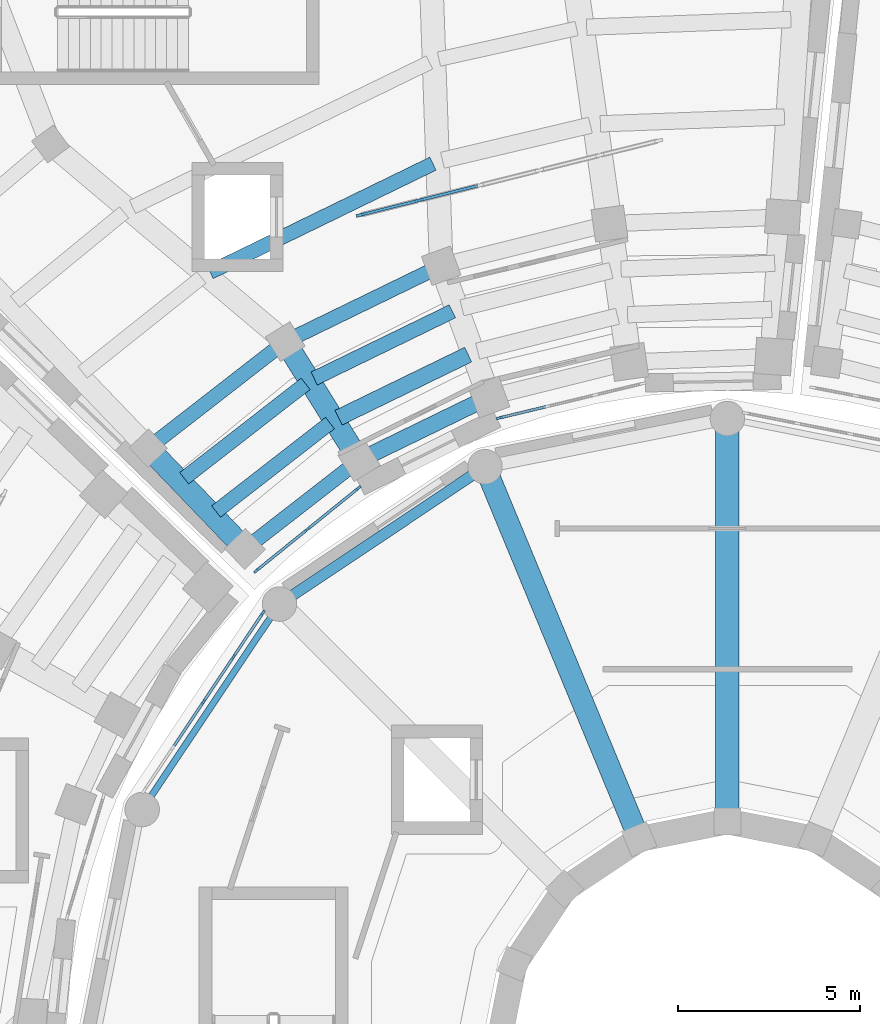
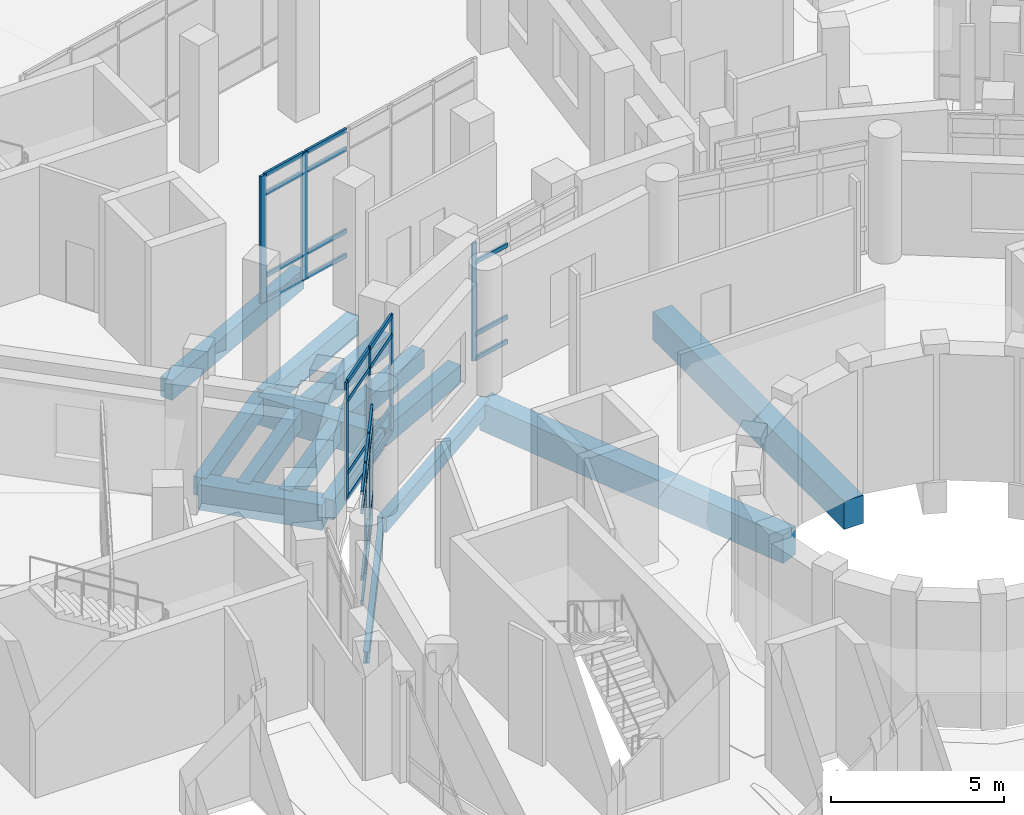
# One storey, part 29 of 89: 40 members, 15 beams, 4 elements without a shape of their own.
"""IFC4 building model written with IfcOpenShell, lengths in metres."""

from ifc_helpers import new_model, si_unit, direction, frame, origin, origin_2d, place, context, subcontext, project, spatial, rectangle, i_section, extrude, material, material_profile, profile_set, type_object, element, aggregate, save


model = new_model("IFC4")

# Units and contexts
model_context = context("Model", 3, precision=1e-05, world=origin(), true_north=direction((0.0, 1.0)))
body_context = subcontext(model_context, "Body", "Model", "MODEL_VIEW")
ifc_project = project(units=[si_unit("LENGTHUNIT", "METRE"), si_unit("AREAUNIT", "SQUARE_METRE"), si_unit("VOLUMEUNIT", "CUBIC_METRE"), si_unit("PLANEANGLEUNIT", "RADIAN"), si_unit("MASSUNIT", "GRAM", prefix="KILO")], contexts=[model_context])

# Site, building, storey
site_placement = place(None, origin())
site = spatial("IfcSite", under=ifc_project, at=site_placement, CompositionType="ELEMENT")
building_placement = place(site_placement, origin())
building = spatial("IfcBuilding", under=site, at=building_placement, Name="Soyqirgoq Riverine Aquarium", CompositionType="ELEMENT")
storey_placement = place(building_placement, frame((0.0, 0.0, 5.39990234375)))
storey = spatial("IfcBuildingStorey", under=building, at=storey_placement, Name="L02", CompositionType="ELEMENT", Elevation=5.39990234375)

# Beams
ifc_material_1 = material(Name="Concrete C40/50", Category="concrete")
ifc_material_profile_1 = material_profile(ifc_material_1, rectangle(XDim=0.39990234375, YDim=0.64990234375, at=origin_2d()), Name="RC 400x650")
ifc_profile_set_1 = profile_set([ifc_material_profile_1], Name="Concrete C40/50")
beam_type_1 = type_object("IfcBeamType", Name="Beam_RC_400x650", PredefinedType="BEAM", material=ifc_profile_set_1)
beam_1_placement = place(storey_placement, frame((44.38037109375, 75.404296875, -0.625), z_axis=(-0.789625269343, -0.613589385514, 0.0), x_axis=(0.613589385514, -0.789625269343, 0.0)))
element("IfcBeam", 1, at=beam_1_placement, inside=storey, type_object=beam_type_1, Name="V4 L02 Secondary Floor Joist 0567", PredefinedType="BEAM", context=body_context, shape_type="SweptSolid", body=[
    extrude(rectangle(XDim=0.39990234375, YDim=0.64990234375, at=origin_2d()), origin(), (0.0, 0.0, 1.0), 4.235595703125),
])
beam_2_placement = place(storey_placement, frame((43.780029296875, 76.5380859375, -0.625), z_axis=(-0.789613455766, -0.613604588048, 0.0), x_axis=(0.613604588048, -0.789613455766, 0.0)))
element("IfcBeam", 2, at=beam_2_placement, inside=storey, type_object=beam_type_1, Name="V4 L02 Wedge Chord Beam 0571", PredefinedType="BEAM", context=body_context, shape_type="SweptSolid", body=[
    extrude(rectangle(XDim=0.39990234375, YDim=0.64990234375, at=origin_2d()), origin(), (0.0, 0.0, 1.0), 4.6787109375),
])
ifc_material_2 = material(Name="Concrete C40/50", Category="concrete")
ifc_material_profile_2 = material_profile(ifc_material_2, rectangle(XDim=0.39990234375, YDim=0.699951171875, at=origin_2d()), Name="RC 400x700")
ifc_profile_set_2 = profile_set([ifc_material_profile_2], Name="Concrete C40/50")
beam_type_2 = type_object("IfcBeamType", Name="Beam_RC_400x700", PredefinedType="BEAM", material=ifc_profile_set_2)
beam_3_placement = place(storey_placement, frame((45.814453125, 73.26953125, -0.64990234375), z_axis=(-0.789599462758, -0.613622594444, 0.0), x_axis=(0.613622594444, -0.789599462758, 0.0)))
element("IfcBeam", 3, at=beam_3_placement, inside=storey, type_object=beam_type_2, Name="V4 L02 Wedge Chord Beam 0559", PredefinedType="BEAM", context=body_context, shape_type="SweptSolid", body=[
    extrude(rectangle(XDim=0.39990234375, YDim=0.699951171875, at=origin_2d()), origin(), (0.0, 0.0, 1.0), 3.88037109375),
])
beam_4_placement = place(storey_placement, frame((48.425048828125, 77.40478515625, -0.64990234375), z_axis=(-0.899182988599, -0.437572797388, 0.0), x_axis=(0.437572797388, -0.899182988599, 0.0)))
element("IfcBeam", 4, at=beam_4_placement, inside=storey, type_object=beam_type_2, Name="V4 L02 Secondary Floor Joist 0565", PredefinedType="BEAM", context=body_context, shape_type="SweptSolid", body=[
    extrude(rectangle(XDim=0.39990234375, YDim=0.699951171875, at=origin_2d()), origin(), (0.0, 0.0, 1.0), 4.2353515625),
])
beam_5_placement = place(storey_placement, frame((45.0517578125, 74.32568359375, -0.64990234375), z_axis=(-0.789623525917, -0.613591629114, 0.0), x_axis=(0.613591629114, -0.789623525917, 0.0)))
element("IfcBeam", 5, at=beam_5_placement, inside=storey, type_object=beam_type_2, Name="V4 L02 Secondary Floor Joist 0566", PredefinedType="BEAM", context=body_context, shape_type="SweptSolid", body=[
    extrude(rectangle(XDim=0.39990234375, YDim=0.699951171875, at=origin_2d()), origin(), (0.0, 0.0, 1.0), 3.97216796875),
])
beam_6_placement = place(storey_placement, frame((48.0712890625, 78.637939453125, -0.64990234375), z_axis=(-0.899186813611, -0.437564937156, 0.0), x_axis=(0.437564937156, -0.899186813611, 0.0)))
element("IfcBeam", 6, at=beam_6_placement, inside=storey, type_object=beam_type_2, Name="V4 L02 Wedge Chord Beam 0570", PredefinedType="BEAM", context=body_context, shape_type="SweptSolid", body=[
    extrude(rectangle(XDim=0.39990234375, YDim=0.699951171875, at=origin_2d()), origin(), (0.0, 0.0, 1.0), 4.678466796875),
])
beam_7_placement = place(storey_placement, frame((47.8896484375, 81.47119140625, -0.64990234375), z_axis=(-0.899178845538, -0.437581311, 0.0), x_axis=(0.437581311, -0.899178845538, 0.0)))
element("IfcBeam", 7, at=beam_7_placement, inside=storey, type_object=beam_type_2, Name="V4 L02 Secondary Floor Joist 0576", PredefinedType="BEAM", context=body_context, shape_type="SweptSolid", body=[
    extrude(rectangle(XDim=0.39990234375, YDim=0.699951171875, at=origin_2d()), origin(), (0.0, 0.0, 1.0), 6.831298828125),
])
ifc_material_3 = material(Name="Concrete C40/50", Category="concrete")
ifc_material_profile_3 = material_profile(ifc_material_3, rectangle(XDim=0.449951171875, YDim=0.64990234375, at=origin_2d()), Name="RC 450x650")
ifc_profile_set_3 = profile_set([ifc_material_profile_3], Name="Concrete C40/50")
beam_type_3 = type_object("IfcBeamType", Name="Beam_RC_450x650", PredefinedType="BEAM", material=ifc_profile_set_3)
beam_8_placement = place(storey_placement, frame((49.38818359375, 75.020263671875, -0.625), z_axis=(-0.899182237982, -0.437574339852, 0.0), x_axis=(0.437574339852, -0.899182237982, 0.0)))
element("IfcBeam", 8, at=beam_8_placement, inside=storey, type_object=beam_type_3, Name="V4 L02 Wedge Chord Beam 0558", PredefinedType="BEAM", context=body_context, shape_type="SweptSolid", body=[
    extrude(rectangle(XDim=0.449951171875, YDim=0.64990234375, at=origin_2d()), origin(), (0.0, 0.0, 1.0), 3.88037109375),
])
beam_9_placement = place(storey_placement, frame((48.859619140625, 76.2109375, -0.625), z_axis=(-0.899182148298, -0.437574524146, 0.0), x_axis=(0.437574524146, -0.899182148298, 0.0)))
element("IfcBeam", 9, at=beam_9_placement, inside=storey, type_object=beam_type_3, Name="V4 L02 Secondary Floor Joist 0564", PredefinedType="BEAM", context=body_context, shape_type="SweptSolid", body=[
    extrude(rectangle(XDim=0.449951171875, YDim=0.64990234375, at=origin_2d()), origin(), (0.0, 0.0, 1.0), 3.971923828125),
])

# Curtain wall, members
ifc_material_4 = material(Name="Anodised aluminium thermally broken triple low-E glazing", Category="aluminium")
curtain_wall_type_1 = type_object("IfcCurtainWallType", Name="CW_DrumGallery_Unitised", PredefinedType="NOTDEFINED", material=ifc_material_4)
curtain_wall_1_placement = place(storey_placement, origin())
curtain_wall_1 = element("IfcCurtainWall", 10, at=curtain_wall_1_placement, inside=storey, type_object=curtain_wall_type_1, Name="V1 L02 Curtain Wall 024", PredefinedType="NOTDEFINED")
ifc_material_5 = material(Name="Anodised aluminium 6063-T6", Category="aluminium")
ifc_material_profile_4 = material_profile(ifc_material_5, rectangle(XDim=0.06494140625, YDim=0.179931640625, at=origin_2d()), Name="ALU-M 65x180")
ifc_profile_set_4 = profile_set([ifc_material_profile_4], Name="Anodised aluminium 6063-T6")
member_type_1 = type_object("IfcMemberType", Name="CWMullion_65x180", PredefinedType="MULLION", material=ifc_profile_set_4)
member_1_placement = place(storey_placement, frame((43.200439453125, 69.091064453125, 0.0), z_axis=(0.0, 0.0, 1.0), x_axis=(0.8314732256, -0.5555648253, 0.0)))
member_1 = element("IfcMember", 11, at=member_1_placement, type_object=member_type_1, Name="CW-01 mullion 1", PredefinedType="MULLION", context=body_context, shape_type="SweptSolid", body=[
    extrude(rectangle(XDim=0.06494140625, YDim=0.179931640625, at=origin_2d()), origin(), (0.0, 0.0, 1.0), 3.9501953125),
])
member_2_placement = place(storey_placement, frame((42.39208984375, 67.88134765625, 0.0), z_axis=(0.0, 0.0, 1.0), x_axis=(0.8314732256, -0.5555648253, 0.0)))
member_2 = element("IfcMember", 12, at=member_2_placement, type_object=member_type_1, Name="CW-01 mullion 2", PredefinedType="MULLION", context=body_context, shape_type="SweptSolid", body=[
    extrude(rectangle(XDim=0.06494140625, YDim=0.179931640625, at=origin_2d()), origin(), (0.0, 0.0, 1.0), 3.9501953125),
])
member_3_placement = place(storey_placement, frame((41.565673828125, 66.64453125, 0.0), z_axis=(0.0, 0.0, 1.0), x_axis=(0.8314732256, -0.5555648253, 0.0)))
member_3 = element("IfcMember", 13, at=member_3_placement, type_object=member_type_1, Name="CW-01 mullion 3", PredefinedType="MULLION", context=body_context, shape_type="SweptSolid", body=[
    extrude(rectangle(XDim=0.06494140625, YDim=0.179931640625, at=origin_2d()), origin(), (0.0, 0.0, 1.0), 3.9501953125),
])

# Curtain wall, member
ifc_material_6 = material(Name="Anodised aluminium thermally broken double low-E glazing", Category="aluminium")
curtain_wall_type_2 = type_object("IfcCurtainWallType", Name="CW_Wedge_NorthBay", PredefinedType="NOTDEFINED", material=ifc_material_6)
curtain_wall_2_placement = place(storey_placement, origin())
curtain_wall_2 = element("IfcCurtainWall", 14, at=curtain_wall_2_placement, inside=storey, type_object=curtain_wall_type_2, Name="V4 L02 Curtain Wall 088", PredefinedType="NOTDEFINED")
member_4_placement = place(storey_placement, frame((49.718994140625, 74.46728515625, 0.0), z_axis=(0.0, 0.0, 1.0), x_axis=(0.233442646008, -0.972370572891, 0.0)))
member_4 = element("IfcMember", 15, at=member_4_placement, type_object=member_type_1, Name="CW-03 mullion 4", PredefinedType="MULLION", context=body_context, shape_type="SweptSolid", body=[
    extrude(rectangle(XDim=0.06494140625, YDim=0.179931640625, at=origin_2d()), origin(), (0.0, 0.0, 1.0), 4.150146484375),
])

# Curtain wall, members
curtain_wall_3_placement = place(storey_placement, origin())
curtain_wall_3 = element("IfcCurtainWall", 16, at=curtain_wall_3_placement, inside=storey, type_object=curtain_wall_type_2, Name="V4 L02 Curtain Wall 089", PredefinedType="NOTDEFINED")
member_5_placement = place(storey_placement, frame((45.82958984375, 72.52880859375, 0.0), z_axis=(0.0, 0.0, 1.0), x_axis=(0.628894471588, -0.777490671073, 0.0)))
member_5 = element("IfcMember", 17, at=member_5_placement, type_object=member_type_1, Name="CW-03 mullion 1", PredefinedType="MULLION", context=body_context, shape_type="SweptSolid", body=[
    extrude(rectangle(XDim=0.06494140625, YDim=0.179931640625, at=origin_2d()), origin(), (0.0, 0.0, 1.0), 4.150146484375),
])
member_6_placement = place(storey_placement, frame((44.4296875, 71.396484375, 0.0), z_axis=(0.0, 0.0, 1.0), x_axis=(0.628894471588, -0.777490671073, 0.0)))
member_6 = element("IfcMember", 18, at=member_6_placement, type_object=member_type_1, Name="CW-03 mullion 2", PredefinedType="MULLION", context=body_context, shape_type="SweptSolid", body=[
    extrude(rectangle(XDim=0.06494140625, YDim=0.179931640625, at=origin_2d()), origin(), (0.0, 0.0, 1.0), 4.150146484375),
])
member_7_placement = place(storey_placement, frame((43.030029296875, 70.264404296875, 0.0), z_axis=(0.0, 0.0, 1.0), x_axis=(0.628894471588, -0.777490671073, 0.0)))
member_7 = element("IfcMember", 19, at=member_7_placement, type_object=member_type_1, Name="CW-03 mullion 3", PredefinedType="MULLION", context=body_context, shape_type="SweptSolid", body=[
    extrude(rectangle(XDim=0.06494140625, YDim=0.179931640625, at=origin_2d()), origin(), (0.0, 0.0, 1.0), 4.150146484375),
])

ifc_material_7 = material(Name="Cast polymethyl methacrylate PMMA Habitat Viewing Glazing", Category="glass")
curtain_wall_type_3 = type_object("IfcCurtainWallType", Name="CW_Interior_TankVitrine", PredefinedType="NOTDEFINED", material=ifc_material_7)
curtain_wall_4_placement = place(storey_placement, origin())
curtain_wall_4 = element("IfcCurtainWall", 20, at=curtain_wall_4_placement, inside=storey, type_object=curtain_wall_type_3, Name="V4 L02 Curtain Wall 153", PredefinedType="NOTDEFINED")
ifc_material_8 = material(Name="Anodised aluminium 6063-T6", Category="aluminium")
ifc_material_profile_5 = material_profile(ifc_material_8, rectangle(XDim=0.080078125, YDim=0.219970703125, at=origin_2d()), Name="ALU-M 80x220")
ifc_profile_set_5 = profile_set([ifc_material_profile_5], Name="Anodised aluminium 6063-T6")
member_type_2 = type_object("IfcMemberType", Name="CWMullion_80x220", PredefinedType="MULLION", material=ifc_profile_set_5)
member_8_placement = place(storey_placement, frame((47.5068359375, 80.459228515625, 0.0), z_axis=(0.0, 0.0, 1.0), x_axis=(0.241922023881, -0.970295694292, 0.0)))
member_8 = element("IfcMember", 21, at=member_8_placement, type_object=member_type_2, Name="CW-07 mullion 5", PredefinedType="MULLION", context=body_context, shape_type="SweptSolid", body=[
    extrude(rectangle(XDim=0.080078125, YDim=0.219970703125, at=origin_2d()), origin(), (0.0, 0.0, 1.0), 4.5),
])
member_9_placement = place(storey_placement, frame((45.885986328125, 80.05517578125, 0.0), z_axis=(0.0, 0.0, 1.0), x_axis=(0.241922023881, -0.970295694292, 0.0)))
member_9 = element("IfcMember", 22, at=member_9_placement, type_object=member_type_2, Name="CW-07 mullion 6", PredefinedType="MULLION", context=body_context, shape_type="SweptSolid", body=[
    extrude(rectangle(XDim=0.080078125, YDim=0.219970703125, at=origin_2d()), origin(), (0.0, 0.0, 1.0), 4.5),
])

# Member
ifc_material_9 = material(Name="Anodised aluminium 6063-T6", Category="aluminium")
ifc_material_profile_6 = material_profile(ifc_material_9, rectangle(XDim=0.074951171875, YDim=0.14990234375, at=origin_2d()), Name="ALU-T 75x150")
ifc_profile_set_6 = profile_set([ifc_material_profile_6], Name="Anodised aluminium 6063-T6")
member_type_3 = type_object("IfcMemberType", Name="CWTransom_75x150", PredefinedType="USERDEFINED", material=ifc_profile_set_6)
member_10_placement = place(storey_placement, frame((43.182373046875, 69.064208984375, 0.03759765625), z_axis=(-0.555551087144, -0.831482404849, 0.0), x_axis=(0.831482404849, -0.555551087144, 0.0)))
member_10 = element("IfcMember", 23, at=member_10_placement, type_object=member_type_3, Name="CW-01 transom 1.1", ObjectType="TRANSOM", PredefinedType="USERDEFINED", context=body_context, shape_type="SweptSolid", body=[
    extrude(rectangle(XDim=0.074951171875, YDim=0.14990234375, at=origin_2d()), origin(), (0.0, 0.0, 1.0), 1.389892578125),
])

member_11_placement = place(storey_placement, frame((43.182373046875, 69.064208984375, 0.900146484375), z_axis=(-0.555551087144, -0.831482404849, 0.0), x_axis=(0.831482404849, -0.555551087144, 0.0)))
member_11 = element("IfcMember", 24, at=member_11_placement, type_object=member_type_3, Name="CW-01 transom 1.2", ObjectType="TRANSOM", PredefinedType="USERDEFINED", context=body_context, shape_type="SweptSolid", body=[
    extrude(rectangle(XDim=0.074951171875, YDim=0.14990234375, at=origin_2d()), origin(), (0.0, 0.0, 1.0), 1.389892578125),
])

member_12_placement = place(storey_placement, frame((43.182373046875, 69.064208984375, 3.25), z_axis=(-0.555551087144, -0.831482404849, 0.0), x_axis=(0.831482404849, -0.555551087144, 0.0)))
member_12 = element("IfcMember", 25, at=member_12_placement, type_object=member_type_3, Name="CW-01 transom 1.3", ObjectType="TRANSOM", PredefinedType="USERDEFINED", context=body_context, shape_type="SweptSolid", body=[
    extrude(rectangle(XDim=0.074951171875, YDim=0.14990234375, at=origin_2d()), origin(), (0.0, 0.0, 1.0), 1.389892578125),
])

member_13_placement = place(storey_placement, frame((43.182373046875, 69.064208984375, 3.91259765625), z_axis=(-0.555551087144, -0.831482404849, 0.0), x_axis=(0.831482404849, -0.555551087144, 0.0)))
member_13 = element("IfcMember", 26, at=member_13_placement, type_object=member_type_3, Name="CW-01 transom 1.4", ObjectType="TRANSOM", PredefinedType="USERDEFINED", context=body_context, shape_type="SweptSolid", body=[
    extrude(rectangle(XDim=0.074951171875, YDim=0.14990234375, at=origin_2d()), origin(), (0.0, 0.0, 1.0), 1.389892578125),
])

member_14_placement = place(storey_placement, frame((42.3740234375, 67.8544921875, 0.03759765625), z_axis=(-0.555531612552, -0.831495416377, 0.0), x_axis=(0.831495416377, -0.555531612552, 0.0)))
member_14 = element("IfcMember", 27, at=member_14_placement, type_object=member_type_3, Name="CW-01 transom 2.1", ObjectType="TRANSOM", PredefinedType="USERDEFINED", context=body_context, shape_type="SweptSolid", body=[
    extrude(rectangle(XDim=0.074951171875, YDim=0.14990234375, at=origin_2d()), origin(), (0.0, 0.0, 1.0), 1.422607421875),
])

member_15_placement = place(storey_placement, frame((42.3740234375, 67.8544921875, 0.900146484375), z_axis=(-0.555531612552, -0.831495416377, 0.0), x_axis=(0.831495416377, -0.555531612552, 0.0)))
member_15 = element("IfcMember", 28, at=member_15_placement, type_object=member_type_3, Name="CW-01 transom 2.2", ObjectType="TRANSOM", PredefinedType="USERDEFINED", context=body_context, shape_type="SweptSolid", body=[
    extrude(rectangle(XDim=0.074951171875, YDim=0.14990234375, at=origin_2d()), origin(), (0.0, 0.0, 1.0), 1.422607421875),
])

member_16_placement = place(storey_placement, frame((42.3740234375, 67.8544921875, 3.25), z_axis=(-0.555531612552, -0.831495416377, 0.0), x_axis=(0.831495416377, -0.555531612552, 0.0)))
member_16 = element("IfcMember", 29, at=member_16_placement, type_object=member_type_3, Name="CW-01 transom 2.3", ObjectType="TRANSOM", PredefinedType="USERDEFINED", context=body_context, shape_type="SweptSolid", body=[
    extrude(rectangle(XDim=0.074951171875, YDim=0.14990234375, at=origin_2d()), origin(), (0.0, 0.0, 1.0), 1.422607421875),
])

member_17_placement = place(storey_placement, frame((42.3740234375, 67.8544921875, 3.91259765625), z_axis=(-0.555531612552, -0.831495416377, 0.0), x_axis=(0.831495416377, -0.555531612552, 0.0)))
member_17 = element("IfcMember", 30, at=member_17_placement, type_object=member_type_3, Name="CW-01 transom 2.4", ObjectType="TRANSOM", PredefinedType="USERDEFINED", context=body_context, shape_type="SweptSolid", body=[
    extrude(rectangle(XDim=0.074951171875, YDim=0.14990234375, at=origin_2d()), origin(), (0.0, 0.0, 1.0), 1.422607421875),
])

member_18_placement = place(storey_placement, frame((41.547607421875, 66.61767578125, 0.03759765625), z_axis=(-0.555531612552, -0.831495416377, 0.0), x_axis=(0.831495416377, -0.555531612552, 0.0)))
member_18 = element("IfcMember", 31, at=member_18_placement, type_object=member_type_3, Name="CW-01 transom 3.1", ObjectType="TRANSOM", PredefinedType="USERDEFINED", context=body_context, shape_type="SweptSolid", body=[
    extrude(rectangle(XDim=0.074951171875, YDim=0.14990234375, at=origin_2d()), origin(), (0.0, 0.0, 1.0), 1.422607421875),
])

member_19_placement = place(storey_placement, frame((41.547607421875, 66.61767578125, 0.900146484375), z_axis=(-0.555531612552, -0.831495416377, 0.0), x_axis=(0.831495416377, -0.555531612552, 0.0)))
member_19 = element("IfcMember", 32, at=member_19_placement, type_object=member_type_3, Name="CW-01 transom 3.2", ObjectType="TRANSOM", PredefinedType="USERDEFINED", context=body_context, shape_type="SweptSolid", body=[
    extrude(rectangle(XDim=0.074951171875, YDim=0.14990234375, at=origin_2d()), origin(), (0.0, 0.0, 1.0), 1.422607421875),
])

member_20_placement = place(storey_placement, frame((41.547607421875, 66.61767578125, 3.25), z_axis=(-0.555531612552, -0.831495416377, 0.0), x_axis=(0.831495416377, -0.555531612552, 0.0)))
member_20 = element("IfcMember", 33, at=member_20_placement, type_object=member_type_3, Name="CW-01 transom 3.3", ObjectType="TRANSOM", PredefinedType="USERDEFINED", context=body_context, shape_type="SweptSolid", body=[
    extrude(rectangle(XDim=0.074951171875, YDim=0.14990234375, at=origin_2d()), origin(), (0.0, 0.0, 1.0), 1.422607421875),
])

member_21_placement = place(storey_placement, frame((41.547607421875, 66.61767578125, 3.91259765625), z_axis=(-0.555531612552, -0.831495416377, 0.0), x_axis=(0.831495416377, -0.555531612552, 0.0)))
member_21 = element("IfcMember", 34, at=member_21_placement, type_object=member_type_3, Name="CW-01 transom 3.4", ObjectType="TRANSOM", PredefinedType="USERDEFINED", context=body_context, shape_type="SweptSolid", body=[
    extrude(rectangle(XDim=0.074951171875, YDim=0.14990234375, at=origin_2d()), origin(), (0.0, 0.0, 1.0), 1.422607421875),
])

aggregate(curtain_wall_1, [member_1, member_2, member_3, member_10, member_11, member_12, member_13, member_14, member_15, member_16, member_17, member_18, member_19, member_20, member_21])

member_22_placement = place(storey_placement, frame((50.99267578125, 74.77294921875, 0.03759765625), z_axis=(-0.972382096433, -0.233394641192, 0.0), x_axis=(0.233394641192, -0.972382096433, 0.0)))
member_22 = element("IfcMember", 35, at=member_22_placement, type_object=member_type_3, Name="CW-03 transom 3.1", ObjectType="TRANSOM", PredefinedType="USERDEFINED", context=body_context, shape_type="SweptSolid", body=[
    extrude(rectangle(XDim=0.074951171875, YDim=0.14990234375, at=origin_2d()), origin(), (0.0, 0.0, 1.0), 1.277099609375),
])

member_23_placement = place(storey_placement, frame((50.99267578125, 74.77294921875, 0.900146484375), z_axis=(-0.972382096433, -0.233394641192, 0.0), x_axis=(0.233394641192, -0.972382096433, 0.0)))
member_23 = element("IfcMember", 36, at=member_23_placement, type_object=member_type_3, Name="CW-03 transom 3.2", ObjectType="TRANSOM", PredefinedType="USERDEFINED", context=body_context, shape_type="SweptSolid", body=[
    extrude(rectangle(XDim=0.074951171875, YDim=0.14990234375, at=origin_2d()), origin(), (0.0, 0.0, 1.0), 1.277099609375),
])

member_24_placement = place(storey_placement, frame((50.99267578125, 74.77294921875, 3.4501953125), z_axis=(-0.972382096433, -0.233394641192, 0.0), x_axis=(0.233394641192, -0.972382096433, 0.0)))
member_24 = element("IfcMember", 37, at=member_24_placement, type_object=member_type_3, Name="CW-03 transom 3.3", ObjectType="TRANSOM", PredefinedType="USERDEFINED", context=body_context, shape_type="SweptSolid", body=[
    extrude(rectangle(XDim=0.074951171875, YDim=0.14990234375, at=origin_2d()), origin(), (0.0, 0.0, 1.0), 1.277099609375),
])

aggregate(curtain_wall_2, [member_4, member_22, member_23, member_24])

member_25_placement = place(storey_placement, frame((45.80419921875, 72.50830078125, 0.03759765625), z_axis=(-0.777480721165, -0.628906772278, 0.0), x_axis=(0.628906772278, -0.777480721165, 0.0)))
member_25 = element("IfcMember", 38, at=member_25_placement, type_object=member_type_3, Name="CW-03 transom 1.1", ObjectType="TRANSOM", PredefinedType="USERDEFINED", context=body_context, shape_type="SweptSolid", body=[
    extrude(rectangle(XDim=0.074951171875, YDim=0.14990234375, at=origin_2d()), origin(), (0.0, 0.0, 1.0), 1.7353515625),
])

member_26_placement = place(storey_placement, frame((45.80419921875, 72.50830078125, 0.900146484375), z_axis=(-0.777480721165, -0.628906772278, 0.0), x_axis=(0.628906772278, -0.777480721165, 0.0)))
member_26 = element("IfcMember", 39, at=member_26_placement, type_object=member_type_3, Name="CW-03 transom 1.2", ObjectType="TRANSOM", PredefinedType="USERDEFINED", context=body_context, shape_type="SweptSolid", body=[
    extrude(rectangle(XDim=0.074951171875, YDim=0.14990234375, at=origin_2d()), origin(), (0.0, 0.0, 1.0), 1.7353515625),
])

member_27_placement = place(storey_placement, frame((45.80419921875, 72.50830078125, 3.4501953125), z_axis=(-0.777480721165, -0.628906772278, 0.0), x_axis=(0.628906772278, -0.777480721165, 0.0)))
member_27 = element("IfcMember", 40, at=member_27_placement, type_object=member_type_3, Name="CW-03 transom 1.3", ObjectType="TRANSOM", PredefinedType="USERDEFINED", context=body_context, shape_type="SweptSolid", body=[
    extrude(rectangle(XDim=0.074951171875, YDim=0.14990234375, at=origin_2d()), origin(), (0.0, 0.0, 1.0), 1.7353515625),
])

member_28_placement = place(storey_placement, frame((45.80419921875, 72.50830078125, 4.112548828125), z_axis=(-0.777480721165, -0.628906772278, 0.0), x_axis=(0.628906772278, -0.777480721165, 0.0)))
member_28 = element("IfcMember", 41, at=member_28_placement, type_object=member_type_3, Name="CW-03 transom 1.4", ObjectType="TRANSOM", PredefinedType="USERDEFINED", context=body_context, shape_type="SweptSolid", body=[
    extrude(rectangle(XDim=0.074951171875, YDim=0.14990234375, at=origin_2d()), origin(), (0.0, 0.0, 1.0), 1.7353515625),
])

member_29_placement = place(storey_placement, frame((44.404541015625, 71.376220703125, 0.03759765625), z_axis=(-0.777411927954, -0.628991807796, 0.0), x_axis=(0.628991807796, -0.777411927954, 0.0)))
member_29 = element("IfcMember", 42, at=member_29_placement, type_object=member_type_3, Name="CW-03 transom 2.1", ObjectType="TRANSOM", PredefinedType="USERDEFINED", context=body_context, shape_type="SweptSolid", body=[
    extrude(rectangle(XDim=0.074951171875, YDim=0.14990234375, at=origin_2d()), origin(), (0.0, 0.0, 1.0), 1.7353515625),
])

member_30_placement = place(storey_placement, frame((44.404541015625, 71.376220703125, 0.900146484375), z_axis=(-0.777411927954, -0.628991807796, 0.0), x_axis=(0.628991807796, -0.777411927954, 0.0)))
member_30 = element("IfcMember", 43, at=member_30_placement, type_object=member_type_3, Name="CW-03 transom 2.2", ObjectType="TRANSOM", PredefinedType="USERDEFINED", context=body_context, shape_type="SweptSolid", body=[
    extrude(rectangle(XDim=0.074951171875, YDim=0.14990234375, at=origin_2d()), origin(), (0.0, 0.0, 1.0), 1.7353515625),
])

member_31_placement = place(storey_placement, frame((44.404541015625, 71.376220703125, 3.4501953125), z_axis=(-0.777411927954, -0.628991807796, 0.0), x_axis=(0.628991807796, -0.777411927954, 0.0)))
member_31 = element("IfcMember", 44, at=member_31_placement, type_object=member_type_3, Name="CW-03 transom 2.3", ObjectType="TRANSOM", PredefinedType="USERDEFINED", context=body_context, shape_type="SweptSolid", body=[
    extrude(rectangle(XDim=0.074951171875, YDim=0.14990234375, at=origin_2d()), origin(), (0.0, 0.0, 1.0), 1.7353515625),
])

member_32_placement = place(storey_placement, frame((44.404541015625, 71.376220703125, 4.112548828125), z_axis=(-0.777411927954, -0.628991807796, 0.0), x_axis=(0.628991807796, -0.777411927954, 0.0)))
member_32 = element("IfcMember", 45, at=member_32_placement, type_object=member_type_3, Name="CW-03 transom 2.4", ObjectType="TRANSOM", PredefinedType="USERDEFINED", context=body_context, shape_type="SweptSolid", body=[
    extrude(rectangle(XDim=0.074951171875, YDim=0.14990234375, at=origin_2d()), origin(), (0.0, 0.0, 1.0), 1.7353515625),
])

aggregate(curtain_wall_3, [member_5, member_6, member_7, member_25, member_26, member_27, member_28, member_29, member_30, member_31, member_32])

member_33_placement = place(storey_placement, frame((49.12744140625, 80.86328125, 0.03759765625), z_axis=(-0.970309650459, -0.241866041903, 0.0), x_axis=(0.241866041903, -0.970309650459, 0.0)))
member_33 = element("IfcMember", 46, at=member_33_placement, type_object=member_type_3, Name="CW-07 transom 4.1", ObjectType="TRANSOM", PredefinedType="USERDEFINED", context=body_context, shape_type="SweptSolid", body=[
    extrude(rectangle(XDim=0.074951171875, YDim=0.14990234375, at=origin_2d()), origin(), (0.0, 0.0, 1.0), 1.630126953125),
])

member_34_placement = place(storey_placement, frame((49.12744140625, 80.86328125, 0.900146484375), z_axis=(-0.970309650459, -0.241866041903, 0.0), x_axis=(0.241866041903, -0.970309650459, 0.0)))
member_34 = element("IfcMember", 47, at=member_34_placement, type_object=member_type_3, Name="CW-07 transom 4.2", ObjectType="TRANSOM", PredefinedType="USERDEFINED", context=body_context, shape_type="SweptSolid", body=[
    extrude(rectangle(XDim=0.074951171875, YDim=0.14990234375, at=origin_2d()), origin(), (0.0, 0.0, 1.0), 1.630126953125),
])

member_35_placement = place(storey_placement, frame((49.12744140625, 80.86328125, 3.800048828125), z_axis=(-0.970309650459, -0.241866041903, 0.0), x_axis=(0.241866041903, -0.970309650459, 0.0)))
member_35 = element("IfcMember", 48, at=member_35_placement, type_object=member_type_3, Name="CW-07 transom 4.3", ObjectType="TRANSOM", PredefinedType="USERDEFINED", context=body_context, shape_type="SweptSolid", body=[
    extrude(rectangle(XDim=0.074951171875, YDim=0.14990234375, at=origin_2d()), origin(), (0.0, 0.0, 1.0), 1.630126953125),
])

member_36_placement = place(storey_placement, frame((49.12744140625, 80.86328125, 4.462646484375), z_axis=(-0.970309650459, -0.241866041903, 0.0), x_axis=(0.241866041903, -0.970309650459, 0.0)))
member_36 = element("IfcMember", 49, at=member_36_placement, type_object=member_type_3, Name="CW-07 transom 4.4", ObjectType="TRANSOM", PredefinedType="USERDEFINED", context=body_context, shape_type="SweptSolid", body=[
    extrude(rectangle(XDim=0.074951171875, YDim=0.14990234375, at=origin_2d()), origin(), (0.0, 0.0, 1.0), 1.630126953125),
])

member_37_placement = place(storey_placement, frame((47.468017578125, 80.44970703125, 0.03759765625), z_axis=(-0.970295809366, -0.241921562342, 0.0), x_axis=(0.241921562342, -0.970295809366, 0.0)))
member_37 = element("IfcMember", 50, at=member_37_placement, type_object=member_type_3, Name="CW-07 transom 5.1", ObjectType="TRANSOM", PredefinedType="USERDEFINED", context=body_context, shape_type="SweptSolid", body=[
    extrude(rectangle(XDim=0.074951171875, YDim=0.14990234375, at=origin_2d()), origin(), (0.0, 0.0, 1.0), 1.590576171875),
])

member_38_placement = place(storey_placement, frame((47.468017578125, 80.44970703125, 0.900146484375), z_axis=(-0.970295809366, -0.241921562342, 0.0), x_axis=(0.241921562342, -0.970295809366, 0.0)))
member_38 = element("IfcMember", 51, at=member_38_placement, type_object=member_type_3, Name="CW-07 transom 5.2", ObjectType="TRANSOM", PredefinedType="USERDEFINED", context=body_context, shape_type="SweptSolid", body=[
    extrude(rectangle(XDim=0.074951171875, YDim=0.14990234375, at=origin_2d()), origin(), (0.0, 0.0, 1.0), 1.590576171875),
])

member_39_placement = place(storey_placement, frame((47.468017578125, 80.44970703125, 3.800048828125), z_axis=(-0.970295809366, -0.241921562342, 0.0), x_axis=(0.241921562342, -0.970295809366, 0.0)))
member_39 = element("IfcMember", 52, at=member_39_placement, type_object=member_type_3, Name="CW-07 transom 5.3", ObjectType="TRANSOM", PredefinedType="USERDEFINED", context=body_context, shape_type="SweptSolid", body=[
    extrude(rectangle(XDim=0.074951171875, YDim=0.14990234375, at=origin_2d()), origin(), (0.0, 0.0, 1.0), 1.590576171875),
])

member_40_placement = place(storey_placement, frame((47.468017578125, 80.44970703125, 4.462646484375), z_axis=(-0.970295809366, -0.241921562342, 0.0), x_axis=(0.241921562342, -0.970295809366, 0.0)))
member_40 = element("IfcMember", 53, at=member_40_placement, type_object=member_type_3, Name="CW-07 transom 5.4", ObjectType="TRANSOM", PredefinedType="USERDEFINED", context=body_context, shape_type="SweptSolid", body=[
    extrude(rectangle(XDim=0.074951171875, YDim=0.14990234375, at=origin_2d()), origin(), (0.0, 0.0, 1.0), 1.590576171875),
])

aggregate(curtain_wall_4, [member_8, member_9, member_33, member_34, member_35, member_36, member_37, member_38, member_39, member_40])

# Beams
ifc_material_10 = material(Name="Concrete C40/50", Category="concrete")
ifc_material_profile_7 = material_profile(ifc_material_10, rectangle(XDim=0.60009765625, YDim=1.0, at=origin_2d()), Name="RC 600x1000")
ifc_profile_set_7 = profile_set([ifc_material_profile_7], Name="Concrete C40/50")
beam_type_4 = type_object("IfcBeamType", Name="Girder_RC_600x1000", PredefinedType="BEAM", material=ifc_profile_set_7)
beam_10_placement = place(storey_placement, frame((53.566162109375, 62.875732421875, -0.849853515625), z_axis=(-0.382683908742, 0.923879335189, 0.0), x_axis=(-0.923879335189, -0.382683908742, 0.0)))
element("IfcBeam", 54, at=beam_10_placement, inside=storey, type_object=beam_type_4, Name="V1 L02 Gallery Radial Beam 0042", PredefinedType="BEAM", context=body_context, shape_type="SweptSolid", body=[
    extrude(rectangle(XDim=0.60009765625, YDim=1.0, at=origin_2d()), origin(), (0.0, 0.0, 1.0), 11.080322265625),
])
beam_11_placement = place(storey_placement, frame((45.82763671875, 73.3427734375, -0.7998046875), z_axis=(-0.528453109017, 0.848962491262, 0.0), x_axis=(-0.848962491262, -0.528453109017, 0.0)))
element("IfcBeam", 55, at=beam_11_placement, inside=storey, type_object=beam_type_4, Name="V4 L02 Wedge Radial Girder 0548", PredefinedType="BEAM", context=body_context, shape_type="SweptSolid", body=[
    extrude(rectangle(XDim=0.60009765625, YDim=1.0, at=origin_2d()), origin(), (0.0, 0.0, 1.0), 3.75),
])
ifc_material_11 = material(Name="Concrete C40/50", Category="concrete")
ifc_material_profile_8 = material_profile(ifc_material_11, rectangle(XDim=0.60009765625, YDim=0.89990234375, at=origin_2d()), Name="RC 600x900")
ifc_profile_set_8 = profile_set([ifc_material_profile_8], Name="Concrete C40/50")
beam_type_5 = type_object("IfcBeamType", Name="Girder_RC_600x900", PredefinedType="BEAM", material=ifc_profile_set_8)
beam_12_placement = place(storey_placement, frame((42.67626953125, 70.893798828125, -0.75), z_axis=(-0.692107537642, 0.721794400324, 0.0), x_axis=(-0.721794400324, -0.692107537642, 0.0)))
element("IfcBeam", 56, at=beam_12_placement, inside=storey, type_object=beam_type_5, Name="V4 L02 Wedge Radial Girder 0552", PredefinedType="BEAM", context=body_context, shape_type="SweptSolid", body=[
    extrude(rectangle(XDim=0.60009765625, YDim=0.89990234375, at=origin_2d()), origin(), (0.0, 0.0, 1.0), 3.75),
])
ifc_material_12 = material(Name="Concrete C40/50", Category="concrete")
ifc_material_profile_9 = material_profile(ifc_material_12, rectangle(XDim=0.64990234375, YDim=1.0, at=origin_2d()), Name="RC 650x1000")
ifc_profile_set_9 = profile_set([ifc_material_profile_9], Name="Concrete C40/50")
beam_type_6 = type_object("IfcBeamType", Name="Girder_RC_650x1000", PredefinedType="BEAM", material=ifc_profile_set_9)
beam_13_placement = place(storey_placement, frame((56.0, 63.360107421875, -0.849853515625), z_axis=(0.0, 1.0, 0.0), x_axis=(-1.0, 0.0, 0.0)))
element("IfcBeam", 57, at=beam_13_placement, inside=storey, type_object=beam_type_6, Name="V1 L02 Gallery Radial Beam 0040", PredefinedType="BEAM", context=body_context, shape_type="SweptSolid", body=[
    extrude(rectangle(XDim=0.64990234375, YDim=1.0, at=origin_2d()), origin(), (0.0, 0.0, 1.0), 11.079833984375),
])
ifc_material_13 = material(Name="Concrete C40/50", Category="concrete")
ifc_material_profile_10 = material_profile(ifc_material_13, rectangle(XDim=0.300048828125, YDim=0.5, at=origin_2d()), Name="RC 300x500")
ifc_profile_set_10 = profile_set([ifc_material_profile_10], Name="Concrete C40/50")
beam_type_7 = type_object("IfcBeamType", Name="Spandrel_RC_300x500", PredefinedType="SPANDREL", material=ifc_profile_set_10)
beam_14_placement = place(storey_placement, frame((49.3056640625, 73.110595703125, -0.599853515625), z_axis=(-0.83147831173, -0.555557213186, 0.0), x_axis=(0.555557213186, -0.83147831173, 0.0)))
element("IfcBeam", 58, at=beam_14_placement, inside=storey, type_object=beam_type_7, Name="V1 L02 Drum Spandrel Beam 0041", PredefinedType="SPANDREL", context=body_context, shape_type="SweptSolid", body=[
    extrude(rectangle(XDim=0.300048828125, YDim=0.5, at=origin_2d()), origin(), (0.0, 0.0, 1.0), 6.768798828125),
])
ifc_material_14 = material(Name="Structural steel S355", Category="steel")
ifc_material_profile_11 = material_profile(ifc_material_14, i_section(OverallWidth=0.179931640625, OverallDepth=0.39990234375, WebThickness=0.008544921875, FlangeThickness=0.013427734375, FilletRadius=0.02099609375, at=origin_2d()), Name="IPE 400")
ifc_profile_set_11 = profile_set([ifc_material_profile_11], Name="Structural steel S355")
beam_type_8 = type_object("IfcBeamType", Name="Spandrel_Steel_IPE400", PredefinedType="SPANDREL", material=ifc_profile_set_11)
beam_15_placement = place(storey_placement, frame((43.64990234375, 69.322509765625, -0.5498046875), z_axis=(-0.555557213186, -0.83147831173, 0.0), x_axis=(0.83147831173, -0.555557213186, 0.0)))
element("IfcBeam", 59, at=beam_15_placement, inside=storey, type_object=beam_type_8, Name="V1 L02 Drum Spandrel Beam 0043", PredefinedType="SPANDREL", context=body_context, shape_type="SweptSolid", body=[
    extrude(i_section(OverallWidth=0.179931640625, OverallDepth=0.39990234375, WebThickness=0.008544921875, FlangeThickness=0.013427734375, FilletRadius=0.02099609375, at=origin_2d()), origin(), (0.0, 0.0, 1.0), 6.768798828125),
])

save(model, "model.ifc")
